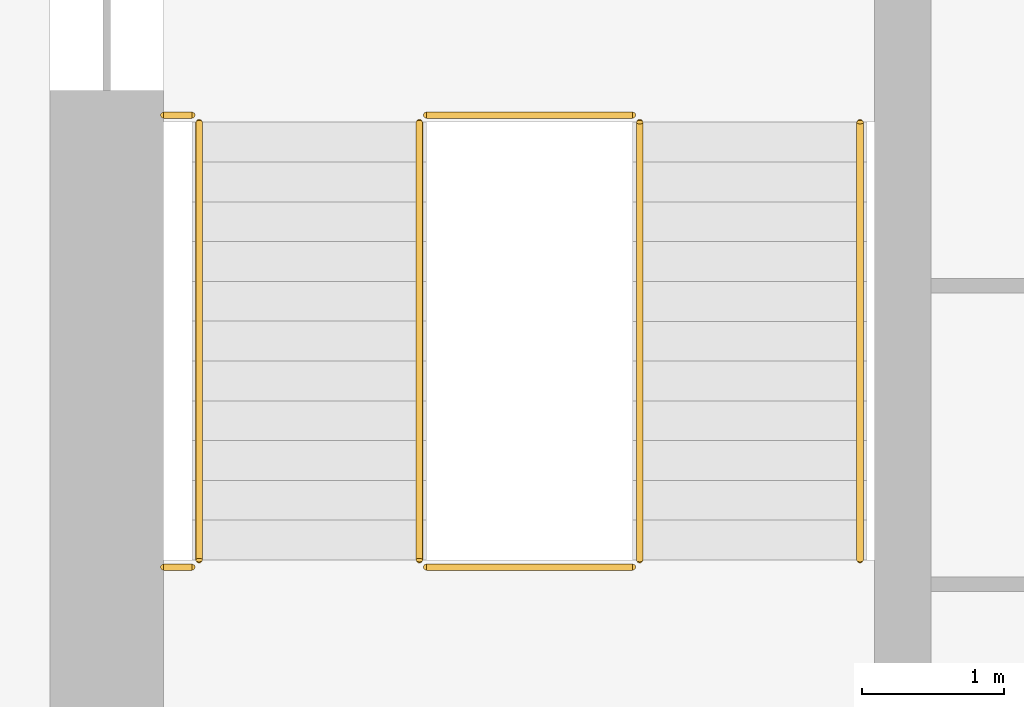
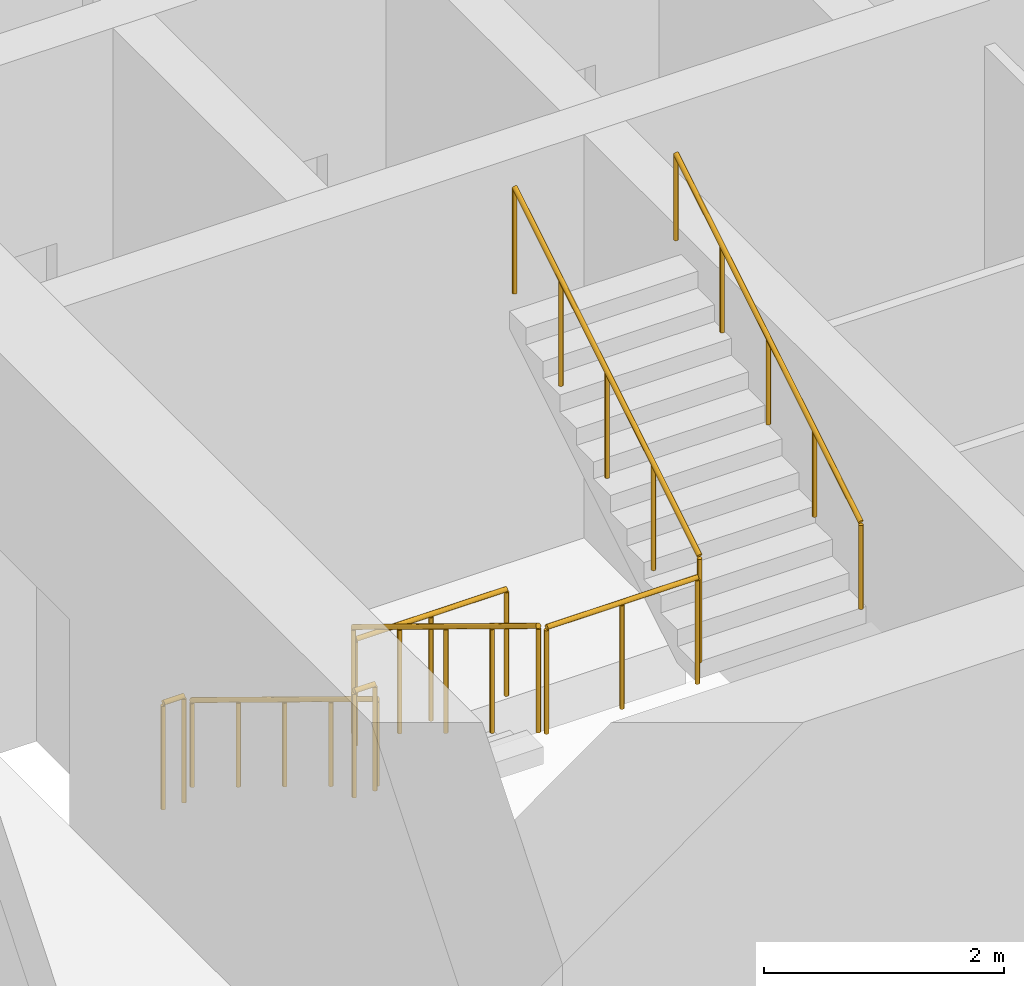
# One storey, part 10 of 16: 8 railings.
"""IFC4 building model written with IfcOpenShell, lengths in metres."""

from ifc_helpers import new_model, si_unit, direction, frame, origin, origin_2d, place, context, subcontext, project, spatial, circle, extrude, material, type_object, element, save


model = new_model("IFC4")

# Units and contexts
model_context = context("Model", 3, precision=1e-05, world=origin(), true_north=direction((0.0, 1.0)))
body_context = subcontext(model_context, "Body", "Model", "MODEL_VIEW")
ifc_project = project(units=[si_unit("LENGTHUNIT", "METRE"), si_unit("AREAUNIT", "SQUARE_METRE"), si_unit("VOLUMEUNIT", "CUBIC_METRE"), si_unit("PLANEANGLEUNIT", "RADIAN"), si_unit("MASSUNIT", "GRAM", prefix="KILO")], contexts=[model_context])

# Site, building, storey
site_placement = place(None, origin())
site = spatial("IfcSite", under=ifc_project, at=site_placement, CompositionType="ELEMENT")
building_placement = place(site_placement, origin())
building = spatial("IfcBuilding", under=site, at=building_placement, Name="Corbel Stack Research Tower", CompositionType="ELEMENT")
storey_placement = place(building_placement, frame((0.0, 0.0, 169.10009765625)))
storey = spatial("IfcBuildingStorey", under=building, at=storey_placement, Name="L38", CompositionType="ELEMENT", Elevation=169.10009765625)

# Railings
ifc_material_1 = material(Name="Steel S355", Category="steel")
railing_type_1 = type_object("IfcRailingType", Name="Stair guard 1100", PredefinedType="GUARDRAIL", material=ifc_material_1)
railing_1_placement = place(storey_placement, frame((-7.89990234375, -2.39990234375, 0.170654296875)))
element("IfcRailing", 1, at=railing_1_placement, inside=storey, type_object=railing_type_1, Name="L38 ST-W1 stair guard 1", PredefinedType="GUARDRAIL", context=body_context, shape_type="SweptSolid", body=[
    extrude(circle(Radius=0.02392578125, at=origin_2d()), frame((0.0, 0.0, 1.076171875), z_axis=(0.0, -0.853666305674, 0.52082035152), x_axis=(1.0, 0.0, 0.0)), (0.0, 0.0, 1.0), 3.608154296875),
    extrude(circle(Radius=0.02099609375, at=origin_2d()), origin(), (0.0, 0.0, 1.0), 1.052001953125),
    extrude(circle(Radius=0.02099609375, at=origin_2d()), frame((0.0, -0.77001953125, 0.4697265625)), (0.0, 0.0, 1.0), 1.052001953125),
    extrude(circle(Radius=0.02099609375, at=origin_2d()), frame((0.0, -1.5400390625, 0.939453125)), (0.0, 0.0, 1.0), 1.052001953125),
    extrude(circle(Radius=0.02099609375, at=origin_2d()), frame((0.0, -2.31005859375, 1.409423828125)), (0.0, 0.0, 1.0), 1.052001953125),
    extrude(circle(Radius=0.02099609375, at=origin_2d()), frame((0.0, -3.080078125, 1.879150390625)), (0.0, 0.0, 1.0), 1.052001953125),
])
railing_2_placement = place(storey_placement, frame((-7.85009765625, -5.530029296875, 2.0498046875)))
element("IfcRailing", 2, at=railing_2_placement, inside=storey, type_object=railing_type_1, Name="L38 ST-W1 stair guard 2", PredefinedType="GUARDRAIL", context=body_context, shape_type="SweptSolid", body=[
    extrude(circle(Radius=0.02392578125, at=origin_2d()), frame((0.0, 0.0, 1.076171875), z_axis=(1.0, 0.0, 0.0), x_axis=(0.0, 1.0, 0.0)), (0.0, 0.0, 1.0), 1.4501953125),
    extrude(circle(Radius=0.02099609375, at=origin_2d()), origin(), (0.0, 0.0, 1.0), 1.052001953125),
    extrude(circle(Radius=0.02099609375, at=origin_2d()), frame((0.72509765625, 0.0, 0.0)), (0.0, 0.0, 1.0), 1.052001953125),
    extrude(circle(Radius=0.02099609375, at=origin_2d()), frame((1.4501953125, 0.0, 0.0)), (0.0, 0.0, 1.0), 1.052001953125),
])
railing_3_placement = place(storey_placement, frame((-9.699951171875, -5.530029296875, 2.0498046875)))
element("IfcRailing", 3, at=railing_3_placement, inside=storey, type_object=railing_type_1, Name="L38 ST-W1 stair guard 3", PredefinedType="GUARDRAIL", context=body_context, shape_type="SweptSolid", body=[
    extrude(circle(Radius=0.02392578125, at=origin_2d()), frame((0.0, 0.0, 1.076171875), z_axis=(1.0, 0.0, 0.0), x_axis=(0.0, 1.0, 0.0)), (0.0, 0.0, 1.0), 0.199951171875),
    extrude(circle(Radius=0.02099609375, at=origin_2d()), origin(), (0.0, 0.0, 1.0), 1.052001953125),
    extrude(circle(Radius=0.02099609375, at=origin_2d()), frame((0.199951171875, 0.0, 0.0)), (0.0, 0.0, 1.0), 1.052001953125),
])
railing_4_placement = place(storey_placement, frame((-6.35009765625, -5.47998046875, 2.220703125)))
element("IfcRailing", 4, at=railing_4_placement, inside=storey, type_object=railing_type_1, Name="L38 ST-W1 stair guard 4", PredefinedType="GUARDRAIL", context=body_context, shape_type="SweptSolid", body=[
    extrude(circle(Radius=0.02392578125, at=origin_2d()), frame((0.0, 0.0, 1.076171875), z_axis=(0.0, 0.853666305674, 0.52082035152), x_axis=(-1.0, 0.0, 0.0)), (0.0, 0.0, 1.0), 3.608154296875),
    extrude(circle(Radius=0.02099609375, at=origin_2d()), origin(), (0.0, 0.0, 1.0), 1.052001953125),
    extrude(circle(Radius=0.02099609375, at=origin_2d()), frame((0.0, 0.77001953125, 0.4697265625)), (0.0, 0.0, 1.0), 1.052001953125),
    extrude(circle(Radius=0.02099609375, at=origin_2d()), frame((0.0, 1.5400390625, 0.939453125)), (0.0, 0.0, 1.0), 1.052001953125),
    extrude(circle(Radius=0.02099609375, at=origin_2d()), frame((0.0, 2.31005859375, 1.409423828125)), (0.0, 0.0, 1.0), 1.052001953125),
    extrude(circle(Radius=0.02099609375, at=origin_2d()), frame((0.0, 3.080078125, 1.879150390625)), (0.0, 0.0, 1.0), 1.052001953125),
])
railing_5_placement = place(storey_placement, frame((-7.85009765625, -2.35009765625, 0.0)))
element("IfcRailing", 5, at=railing_5_placement, inside=storey, type_object=railing_type_1, Name="L38 ST-W1 stair guard 5", PredefinedType="GUARDRAIL", context=body_context, shape_type="SweptSolid", body=[
    extrude(circle(Radius=0.02392578125, at=origin_2d()), frame((0.0, 0.0, 1.076171875), z_axis=(1.0, 0.0, 0.0), x_axis=(0.0, 1.0, 0.0)), (0.0, 0.0, 1.0), 1.4501953125),
    extrude(circle(Radius=0.02099609375, at=origin_2d()), origin(), (0.0, 0.0, 1.0), 1.052001953125),
    extrude(circle(Radius=0.02099609375, at=origin_2d()), frame((0.72509765625, 0.0, 0.0)), (0.0, 0.0, 1.0), 1.052001953125),
    extrude(circle(Radius=0.02099609375, at=origin_2d()), frame((1.4501953125, 0.0, 0.0)), (0.0, 0.0, 1.0), 1.052001953125),
])
railing_6_placement = place(storey_placement, frame((-9.699951171875, -2.35009765625, 0.0)))
element("IfcRailing", 6, at=railing_6_placement, inside=storey, type_object=railing_type_1, Name="L38 ST-W1 stair guard 6", PredefinedType="GUARDRAIL", context=body_context, shape_type="SweptSolid", body=[
    extrude(circle(Radius=0.02392578125, at=origin_2d()), frame((0.0, 0.0, 1.076171875), z_axis=(1.0, 0.0, 0.0), x_axis=(0.0, 1.0, 0.0)), (0.0, 0.0, 1.0), 0.199951171875),
    extrude(circle(Radius=0.02099609375, at=origin_2d()), origin(), (0.0, 0.0, 1.0), 1.052001953125),
    extrude(circle(Radius=0.02099609375, at=origin_2d()), frame((0.199951171875, 0.0, 0.0)), (0.0, 0.0, 1.0), 1.052001953125),
])
ifc_material_2 = material(Name="Steel S355", Category="steel")
railing_type_2 = type_object("IfcRailingType", Name="Stair handrail 900", PredefinedType="HANDRAIL", material=ifc_material_2)
railing_7_placement = place(storey_placement, frame((-9.449951171875, -2.39990234375, 0.170654296875)))
element("IfcRailing", 7, at=railing_7_placement, inside=storey, type_object=railing_type_2, Name="L38 ST-W1 stair handrail 1", PredefinedType="HANDRAIL", context=body_context, shape_type="SweptSolid", body=[
    extrude(circle(Radius=0.02392578125, at=origin_2d()), frame((0.0, 0.0, 0.8759765625), z_axis=(0.0, -0.853666305674, 0.52082035152), x_axis=(1.0, 0.0, 0.0)), (0.0, 0.0, 1.0), 3.608154296875),
    extrude(circle(Radius=0.02099609375, at=origin_2d()), origin(), (0.0, 0.0, 1.0), 0.851806640625),
    extrude(circle(Radius=0.02099609375, at=origin_2d()), frame((0.0, -0.77001953125, 0.4697265625)), (0.0, 0.0, 1.0), 0.851806640625),
    extrude(circle(Radius=0.02099609375, at=origin_2d()), frame((0.0, -1.5400390625, 0.939453125)), (0.0, 0.0, 1.0), 0.851806640625),
    extrude(circle(Radius=0.02099609375, at=origin_2d()), frame((0.0, -2.31005859375, 1.409423828125)), (0.0, 0.0, 1.0), 0.851806640625),
    extrude(circle(Radius=0.02099609375, at=origin_2d()), frame((0.0, -3.080078125, 1.879150390625)), (0.0, 0.0, 1.0), 0.851806640625),
])
railing_8_placement = place(storey_placement, frame((-4.800048828125, -5.47998046875, 2.220703125)))
element("IfcRailing", 8, at=railing_8_placement, inside=storey, type_object=railing_type_2, Name="L38 ST-W1 stair handrail 2", PredefinedType="HANDRAIL", context=body_context, shape_type="SweptSolid", body=[
    extrude(circle(Radius=0.02392578125, at=origin_2d()), frame((0.0, 0.0, 0.8759765625), z_axis=(0.0, 0.853666305674, 0.52082035152), x_axis=(-1.0, 0.0, 0.0)), (0.0, 0.0, 1.0), 3.608154296875),
    extrude(circle(Radius=0.02099609375, at=origin_2d()), origin(), (0.0, 0.0, 1.0), 0.851806640625),
    extrude(circle(Radius=0.02099609375, at=origin_2d()), frame((0.0, 0.77001953125, 0.4697265625)), (0.0, 0.0, 1.0), 0.851806640625),
    extrude(circle(Radius=0.02099609375, at=origin_2d()), frame((0.0, 1.5400390625, 0.939453125)), (0.0, 0.0, 1.0), 0.851806640625),
    extrude(circle(Radius=0.02099609375, at=origin_2d()), frame((0.0, 2.31005859375, 1.409423828125)), (0.0, 0.0, 1.0), 0.851806640625),
    extrude(circle(Radius=0.02099609375, at=origin_2d()), frame((0.0, 3.080078125, 1.879150390625)), (0.0, 0.0, 1.0), 0.851806640625),
])

save(model, "model.ifc")
